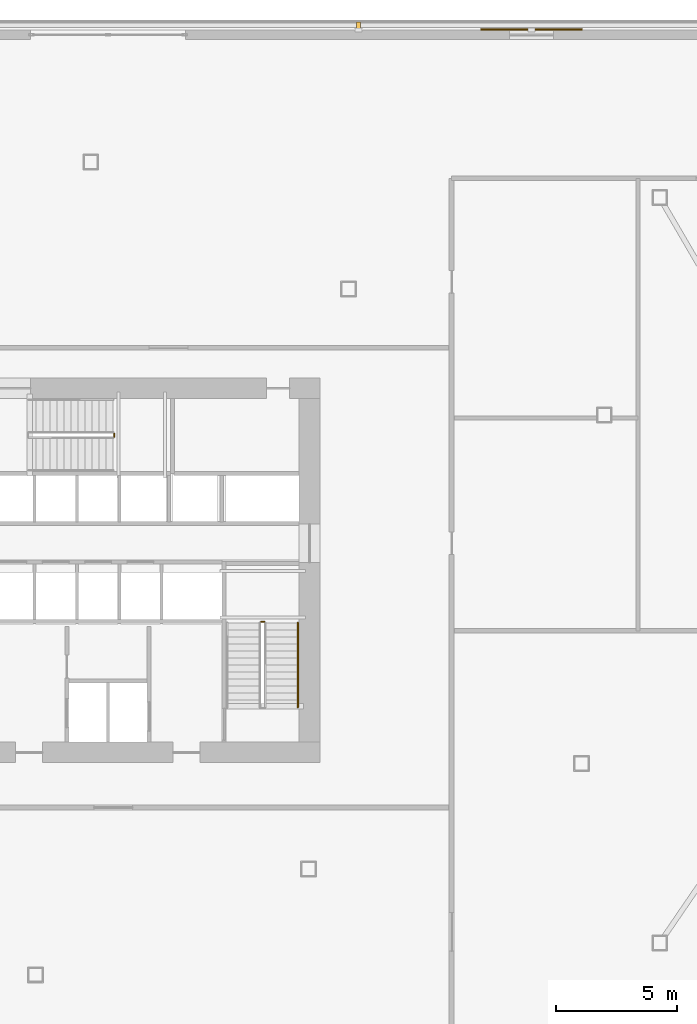
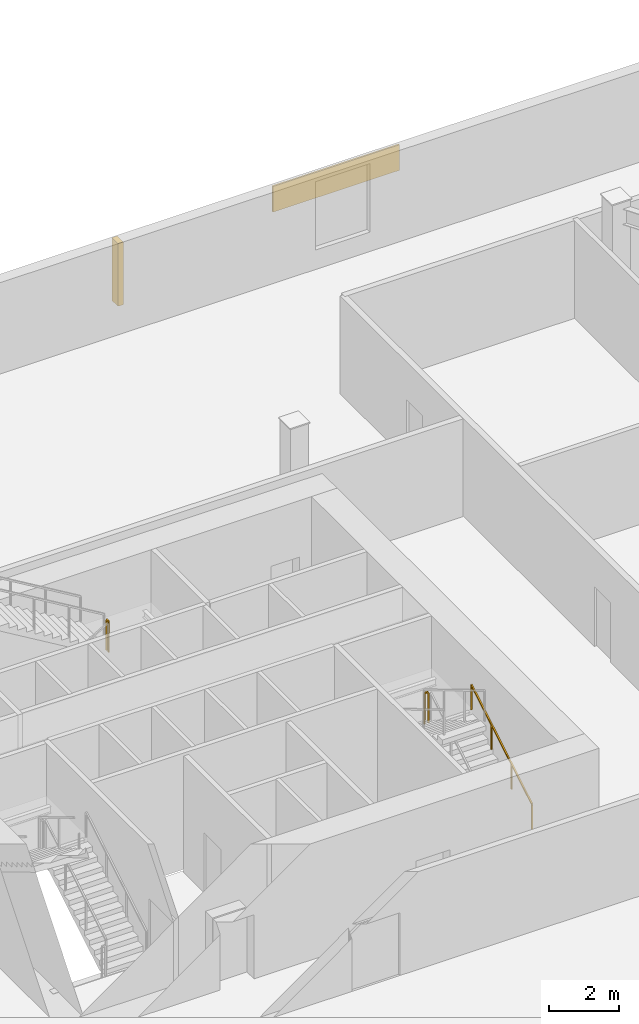
# One storey, part 15 of 16: 3 railings, 1 covering, 1 shading device.
"""IFC4 building model written with IfcOpenShell, lengths in metres."""

from ifc_helpers import new_model, si_unit, direction, frame, origin, origin_2d, place, context, subcontext, project, spatial, rectangle, extrude, source, transform, mapped, material, layer, layer_set, type_object, element, save


model = new_model("IFC4")

# Units and contexts
model_context = context("Model", 3, precision=1e-05, world=origin(), true_north=direction((0.0, 1.0)))
body_context = subcontext(model_context, "Body", "Model", "MODEL_VIEW")
ifc_project = project(units=[si_unit("LENGTHUNIT", "METRE"), si_unit("AREAUNIT", "SQUARE_METRE"), si_unit("VOLUMEUNIT", "CUBIC_METRE"), si_unit("PLANEANGLEUNIT", "RADIAN"), si_unit("MASSUNIT", "GRAM", prefix="KILO")], contexts=[model_context])

# Site, building, storey
site_placement = place(None, origin())
site = spatial("IfcSite", under=ifc_project, at=site_placement, CompositionType="ELEMENT")
building_placement = place(site_placement, origin())
building = spatial("IfcBuilding", under=site, at=building_placement, Name="Olszyna Solenne Hotel", CompositionType="ELEMENT")
storey_placement = place(building_placement, frame((0.0, 0.0, 20.10009765625)))
storey = spatial("IfcBuildingStorey", under=building, at=storey_placement, Name="L04", CompositionType="ELEMENT", Elevation=20.10009765625)

# Railings
ifc_material_1 = material(Name="Anodised bronze aluminium", Category="aluminium")
railing_type_1 = type_object("IfcRailingType", Name="GR-110", PredefinedType="BALUSTRADE", material=ifc_material_1)
railing_1_placement = place(storey_placement, frame((44.449951171875, 24.47998046875, 2.25)))
element("IfcRailing", 1, at=railing_1_placement, inside=storey, type_object=railing_type_1, Name="L04 ST2 stair guard 2", PredefinedType="BALUSTRADE", context=body_context, shape_type="SweptSolid", body=[
    extrude(rectangle(XDim=0.048095703125, YDim=0.048095703125, at=origin_2d()), frame((0.0, 0.0, 1.076171875), z_axis=(-1.0, 0.0, 0.0), x_axis=(0.0, -1.0, 0.0)), (0.0, 0.0, 1.0), 0.119873046875),
    extrude(rectangle(XDim=0.0419921875, YDim=0.0419921875, at=origin_2d()), origin(), (0.0, 0.0, 1.0), 1.052001953125),
    extrude(rectangle(XDim=0.0419921875, YDim=0.0419921875, at=origin_2d()), frame((-0.119873046875, 0.0, 0.0)), (0.0, 0.0, 1.0), 1.052001953125),
])
railing_2_placement = place(storey_placement, frame((38.260009765625, 32.1298828125, 2.25)))
element("IfcRailing", 2, at=railing_2_placement, inside=storey, type_object=railing_type_1, Name="L04 ST3 stair guard 2", PredefinedType="BALUSTRADE", context=body_context, shape_type="SweptSolid", body=[
    extrude(rectangle(XDim=0.048095703125, YDim=0.048095703125, at=origin_2d()), frame((0.0, 0.0, 1.076171875), z_axis=(0.0, 1.0, 0.0), x_axis=(-1.0, 0.0, 0.0)), (0.0, 0.0, 1.0), 0.1201171875),
    extrude(rectangle(XDim=0.0419921875, YDim=0.0419921875, at=origin_2d()), origin(), (0.0, 0.0, 1.0), 1.052001953125),
    extrude(rectangle(XDim=0.0419921875, YDim=0.0419921875, at=origin_2d()), frame((0.0, 0.1201171875, 0.0)), (0.0, 0.0, 1.0), 1.052001953125),
])
ifc_material_2 = material(Name="Steel S355J2", Category="steel")
railing_type_2 = type_object("IfcRailingType", Name="HR-090", PredefinedType="HANDRAIL", material=ifc_material_2)
railing_3_placement = place(storey_placement, frame((45.85009765625, 20.949951171875, 0.173095703125)))
element("IfcRailing", 3, at=railing_3_placement, inside=storey, type_object=railing_type_2, Name="L04 ST2 stair handrail 1", PredefinedType="HANDRAIL", context=body_context, shape_type="SweptSolid", body=[
    extrude(rectangle(XDim=0.048095703125, YDim=0.048095703125, at=origin_2d()), frame((0.0, 0.0, 0.8759765625), z_axis=(0.0, 0.858697190188, 0.512483302717), x_axis=(-1.0, 0.0, 0.0)), (0.0, 0.0, 1.0), 4.052734375),
    extrude(rectangle(XDim=0.0419921875, YDim=0.0419921875, at=origin_2d()), origin(), (0.0, 0.0, 1.0), 0.851806640625),
    extrude(rectangle(XDim=0.0419921875, YDim=0.0419921875, at=origin_2d()), frame((0.0, 1.159912109375, 0.6923828125)), (0.0, 0.0, 1.0), 0.851806640625),
    extrude(rectangle(XDim=0.0419921875, YDim=0.0419921875, at=origin_2d()), frame((0.0, 2.320068359375, 1.384521484375)), (0.0, 0.0, 1.0), 0.851806640625),
    extrude(rectangle(XDim=0.0419921875, YDim=0.0419921875, at=origin_2d()), frame((0.0, 3.47998046875, 2.076904296875)), (0.0, 0.0, 1.0), 0.851806640625),
])

# Covering
ifc_material_3 = material(Name="Terracotta cladding", Category="masonry")
ifc_layer = layer(ifc_material_3, 0.054931640625, Name="Terracotta cladding")
ifc_layer_set = layer_set([ifc_layer], Name="Terracotta cladding")
covering_type = type_object("IfcCoveringType", Name="CD-TC1", PredefinedType="CLADDING", material=ifc_layer_set)
shared_shape_1 = source(origin(), body_context, "Body", "SweptSolid", [
    extrude(rectangle(XDim=4.199951171875, YDim=0.054931640625, at=origin_2d()), origin(), (0.0, 0.0, 1.0), 0.89990234375),
])
covering_placement = place(storey_placement, frame((55.5, 48.9423828125, 2.199951171875), z_axis=(0.0, 0.0, 1.0), x_axis=(1.0, 0.0, 0.0)))
element("IfcCovering", 4, at=covering_placement, inside=storey, type_object=covering_type, Name="Fluted terracotta rainscreen band CD-L04-NE", PredefinedType="CLADDING", context=body_context, shape_type="MappedRepresentation", body=[
    mapped(shared_shape_1, transform((0.0, 0.0, 0.0), x_axis=(1.0, 0.0, 0.0), y_axis=(0.0, 1.0, 0.0), z_axis=(0.0, 0.0, 1.0), scale=1.0)),
])

# Shading device
shading_device_type = type_object("IfcShadingDeviceType", Name="SH-FN1", PredefinedType="USERDEFINED", material=ifc_material_3)
shared_shape_2 = source(origin(), body_context, "Body", "SweptSolid", [
    extrude(rectangle(XDim=0.179931640625, YDim=0.35009765625, at=origin_2d()), origin(), (0.0, 0.0, 1.0), 2.199951171875),
])
shading_device_placement = place(storey_placement, frame((48.35009765625, 49.090087890625, 0.69970703125), z_axis=(0.0, 0.0, 1.0), x_axis=(1.0, 0.0, 0.0)))
element("IfcShadingDevice", 5, at=shading_device_placement, inside=storey, type_object=shading_device_type, Name="Vertical terracotta facade fin FN-L04-NE", ObjectType="FIN", PredefinedType="USERDEFINED", context=body_context, shape_type="MappedRepresentation", body=[
    mapped(shared_shape_2, transform((0.0, 0.0, 0.0), x_axis=(1.0, 0.0, 0.0), y_axis=(0.0, 1.0, 0.0), z_axis=(0.0, 0.0, 1.0), scale=1.0)),
])

save(model, "model.ifc")
